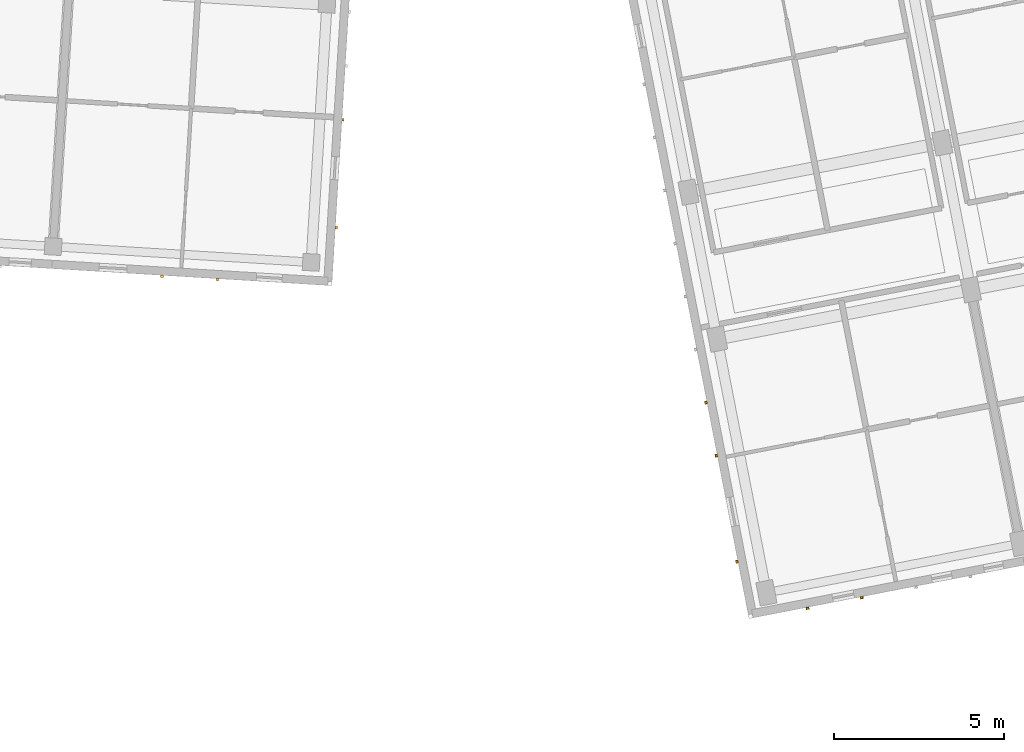
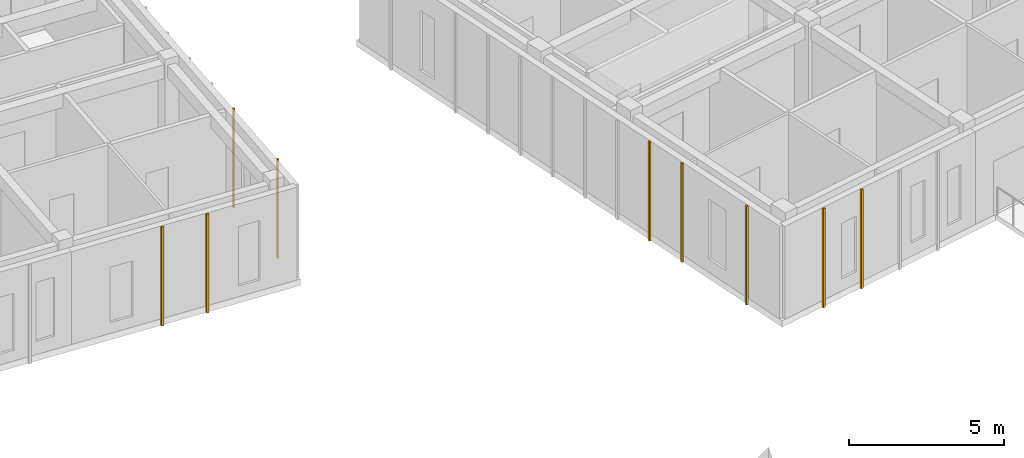
# One storey, part 118 of 150: 9 coverings.
"""IFC4 building model written with IfcOpenShell, lengths in metres."""

import ifcopenshell
import ifcopenshell.guid

model = None  # the IFC model being written
_history = None  # IfcOwnerHistory: only IFC2X3 demands one
_inside = {}  # id of a spatial element -> (the spatial element, [elements in it])
_under = {}  # id of a project, library or spatial element -> (it, [spatial elements below it])
_declared = {}  # id of a project -> (the project, [libraries it declares])
_typed = {}  # id of a type object -> (the type object, [elements of that type])
_made_of = {}  # id of a material, layer set ... -> (it, [elements and type objects made of it])


def new_model(schema):
    """Start an empty IFC model of exactly this schema.

    Asked for "IFC4X3", IfcOpenShell would pick the latest addendum, in which some entities
    have other attributes; the version numbers below select the first issue.
    IFC2X3 requires an IfcOwnerHistory on every rooted entity: one is made here for all.
    """
    global model, _history
    if schema == "IFC4X3":
        model = ifcopenshell.file(schema_version=(4, 3, 0, 0))
    else:
        model = ifcopenshell.file(schema=schema)
    _inside.clear()
    _under.clear()
    _declared.clear()
    _typed.clear()
    _made_of.clear()
    _history = None
    if model.schema == "IFC2X3":
        org = make("IfcOrganization", Name="unknown")
        user = make(
            "IfcPersonAndOrganization",
            ThePerson=make("IfcPerson", FamilyName="unknown"),
            TheOrganization=org,
        )
        app = make(
            "IfcApplication",
            ApplicationDeveloper=org,
            Version="unknown",
            ApplicationFullName="unknown",
            ApplicationIdentifier="unknown",
        )
        _history = make(
            "IfcOwnerHistory",
            OwningUser=user,
            OwningApplication=app,
            ChangeAction="ADDED",
            CreationDate=0,
        )
    return model


def make(cls, **values):
    """One entity of the class cls with the attributes given. An attribute that is None is left unset."""
    return model.create_entity(
        cls, **{name: value for name, value in values.items() if value is not None}
    )


def rooted(cls, **values):
    """An entity with a GlobalId (a new one), such as an element, a storey or a relation."""
    return make(cls, GlobalId=ifcopenshell.guid.new(), OwnerHistory=_history, **values)


def si_unit(unit_type, name, prefix=None):
    """IfcSIUnit, for example si_unit("LENGTHUNIT", "METRE", prefix="MILLI")."""
    return make("IfcSIUnit", UnitType=unit_type, Prefix=prefix, Name=name)


def assignment(units):
    """IfcUnitAssignment: the units of a project."""
    return None if units is None else make("IfcUnitAssignment", Units=units)


def point(xyz):
    """IfcCartesianPoint."""
    return None if xyz is None else make("IfcCartesianPoint", Coordinates=xyz)


def direction(xyz):
    """IfcDirection."""
    return None if xyz is None else make("IfcDirection", DirectionRatios=xyz)


def frame(location, z_axis=None, x_axis=None):
    """IfcAxis2Placement3D, a coordinate frame: its origin and axes. An axis left out is left unset."""
    return make(
        "IfcAxis2Placement3D",
        Location=point(location),
        Axis=direction(z_axis),
        RefDirection=direction(x_axis),
    )


def frame_2d(location, x_axis=None):
    """IfcAxis2Placement2D, a coordinate frame in the plane: its origin and x axis."""
    return make(
        "IfcAxis2Placement2D", Location=point(location), RefDirection=direction(x_axis)
    )


def origin():
    """The frame at (0, 0, 0) with its axes left unset."""
    return frame((0.0, 0.0, 0.0))


def origin_2d():
    """The frame at (0, 0) in the plane with its x axis left unset."""
    return frame_2d((0.0, 0.0))


def place(relative_to, where):
    """IfcLocalPlacement: puts the frame where relative to a parent placement (None: the world)."""
    return make(
        "IfcLocalPlacement", PlacementRelTo=relative_to, RelativePlacement=where
    )


def context(
    kind, dimensions, precision=None, world=None, true_north=None, identifier=None
):
    """IfcGeometricRepresentationContext, for example the 3D "Model" context."""
    return make(
        "IfcGeometricRepresentationContext",
        ContextIdentifier=identifier,
        ContextType=kind,
        CoordinateSpaceDimension=dimensions,
        Precision=precision,
        WorldCoordinateSystem=world,
        TrueNorth=true_north,
    )


def subcontext(parent, identifier, kind, view, scale=None):
    """IfcGeometricRepresentationSubContext, for example "Body" below "Model"."""
    return make(
        "IfcGeometricRepresentationSubContext",
        ContextIdentifier=identifier,
        ContextType=kind,
        ParentContext=parent,
        TargetScale=scale,
        TargetView=view,
    )


def project(units=None, contexts=None):
    """IfcProject with its units and contexts."""
    return rooted(
        "IfcProject",
        Name="project",
        RepresentationContexts=contexts,
        UnitsInContext=assignment(units),
    )


def spatial(cls, under=None, at=None, **own):
    """A site, building, storey or space (cls), placed at a placement, below another one or the project."""
    s = rooted(cls, ObjectPlacement=at, **own)
    if under is not None:
        _under.setdefault(under.id(), (under, []))[1].append(s)
    return s


def profile(cls, at=None, kind="AREA", **sizes):
    """A parametric profile (cls). Its sizes go by their IFC names, for example OverallWidth=200.0."""
    return make(cls, ProfileType=kind, Position=at, **sizes)


def rectangle(**sizes):
    """IfcRectangleProfileDef."""
    return profile("IfcRectangleProfileDef", **sizes)


def extrude(swept, where, along, depth):
    """IfcExtrudedAreaSolid: the profile swept, set in the frame where, extruded along a direction by depth."""
    return make(
        "IfcExtrudedAreaSolid",
        SweptArea=swept,
        Position=where,
        ExtrudedDirection=direction(along),
        Depth=depth,
    )


def shape(context_of_items, identifier, shape_type, items):
    """IfcShapeRepresentation: the items that make up one representation, for example the "Body"."""
    return make(
        "IfcShapeRepresentation",
        ContextOfItems=context_of_items,
        RepresentationIdentifier=identifier,
        RepresentationType=shape_type,
        Items=items,
    )


def material(Name=None, Category=None):
    """IfcMaterial."""
    return make("IfcMaterial", Name=Name, Category=Category)


def layer(
    of_material, thickness, ventilated=None, Name=None, Category=None, Priority=None
):
    """IfcMaterialLayer: one layer of a wall or slab, of a material (None: an air gap)."""
    return make(
        "IfcMaterialLayer",
        Material=of_material,
        LayerThickness=thickness,
        IsVentilated=ventilated,
        Name=Name,
        Category=Category,
        Priority=Priority,
    )


def layer_set(layers, Name=None):
    """IfcMaterialLayerSet."""
    return make("IfcMaterialLayerSet", MaterialLayers=layers, LayerSetName=Name)


def made_of(thing, what):
    """Note that an element or type object is made of a material, layer set ...; save() writes the relation."""
    if what is not None:
        _made_of.setdefault(what.id(), (what, []))[1].append(thing)
    return thing


def type_object(cls, material=None, **own):
    """A type object (cls), such as IfcWallType, which elements share."""
    return made_of(rooted(cls, **own), material)


def element(
    cls,
    number,
    at=None,
    inside=None,
    cuts=None,
    type_object=None,
    material=None,
    context=None,
    identifier="Body",
    shape_type=None,
    held_by="IfcProductDefinitionShape",
    body=None,
    shapes=None,
    **own,
):
    """One element of the class cls, such as IfcWall. Its Tag is "e" and its number.

    at: its placement. inside: the storey or other place that contains it. cuts: it is an
    opening in that element (IfcRelVoidsElement). A single representation is given by context,
    identifier, shape_type and body (its items); several are given by shapes. held_by: the class
    of the entity that holds the representations. save() writes the other relations.
    """
    e = rooted(cls, Tag="e%d" % number, ObjectPlacement=at, **own)
    if body is not None:
        shapes = [shape(context, identifier, shape_type, body)]
    if shapes is not None:
        e.Representation = make(held_by, Representations=shapes)
    if inside is not None:
        _inside.setdefault(inside.id(), (inside, []))[1].append(e)
    if cuts is not None:
        rooted(
            "IfcRelVoidsElement", RelatingBuildingElement=cuts, RelatedOpeningElement=e
        )
    if type_object is not None:
        _typed.setdefault(type_object.id(), (type_object, []))[1].append(e)
    return made_of(e, material)


def aggregate(whole, parts):
    """IfcRelAggregates: a whole, such as a stair, and the parts it consists of."""
    return rooted("IfcRelAggregates", RelatingObject=whole, RelatedObjects=parts)


def save(model, path):
    """Write the relations noted so far, then the file.

    IfcRelAggregates (storeys below a building ...), IfcRelContainedInSpatialStructure (elements
    in a storey), IfcRelDefinesByType, IfcRelAssociatesMaterial and IfcRelDeclares: one each for
    every whole, place, type object, material and project.
    """
    for whole, parts in _under.values():
        aggregate(whole, parts)
    for where, things in _inside.values():
        rooted(
            "IfcRelContainedInSpatialStructure",
            RelatedElements=things,
            RelatingStructure=where,
        )
    for kind, things in _typed.values():
        rooted("IfcRelDefinesByType", RelatedObjects=things, RelatingType=kind)
    for what, things in _made_of.values():
        rooted("IfcRelAssociatesMaterial", RelatedObjects=things, RelatingMaterial=what)
    for by, libraries in _declared.values():
        rooted("IfcRelDeclares", RelatingContext=by, RelatedDefinitions=libraries)
    model.write(path)


model = new_model("IFC4")

# Units and contexts
model_context = context("Model", 3, precision=1e-05, world=origin(), true_north=direction((0.0, 1.0)))
body_context = subcontext(model_context, "Body", "Model", "MODEL_VIEW")
ifc_project = project(units=[si_unit("LENGTHUNIT", "METRE"), si_unit("AREAUNIT", "SQUARE_METRE"), si_unit("VOLUMEUNIT", "CUBIC_METRE"), si_unit("PLANEANGLEUNIT", "RADIAN"), si_unit("MASSUNIT", "GRAM", prefix="KILO")], contexts=[model_context])

# Site, building, storey
site_placement = place(None, origin())
site = spatial("IfcSite", under=ifc_project, at=site_placement, CompositionType="ELEMENT")
building_placement = place(site_placement, origin())
building = spatial("IfcBuilding", under=site, at=building_placement, Name="Kestramere Prow Commons", CompositionType="ELEMENT")
storey_placement = place(building_placement, frame((0.0, 0.0, 4.5)))
storey = spatial("IfcBuildingStorey", under=building, at=storey_placement, Name="L01", CompositionType="ELEMENT", Elevation=4.5)

# Coverings
ifc_material = material(Name="Weathered Zinc-Titanium Standing-Seam Cladding")
ifc_layer = layer(ifc_material, 0.074951171875)
ifc_layer_set = layer_set([ifc_layer], Name="Weathered Zinc-Titanium Standing-Seam Cladding")
covering_type = type_object("IfcCoveringType", Name="COV-CLAD-SEAM", PredefinedType="CLADDING", material=ifc_layer_set)
for number, where, z_axis, x_axis, name in (
    (1, (102.253662109375, 43.206298828125, -0.25), (0.0, 0.0, 1.0), (-0.998134798422, 0.061048539535, 0.0), "EW-C-L01-S-5 Standing-Seam Rib 2"),
    (2, (100.631591796875, 43.305419921875, -0.25), (0.0, 0.0, 1.0), (-0.998134798422, 0.061048539535, 0.0), "EW-C-L01-S-5 Standing-Seam Rib 3"),
    (3, (105.949951171875, 47.9072265625, -0.25), (0.0, 0.0, 1.0), (-0.061048539535, -0.998134798422, 0.0), "EW-C-L01-EAV Standing-Seam Rib 10"),
    (4, (105.756103515625, 44.736328125, -0.25), (0.0, 0.0, 1.0), (-0.061048539535, -0.998134798422, 0.0), "EW-C-L01-EAV Standing-Seam Rib 12"),
    (5, (121.2041015625, 33.85498046875, -0.25), (0.0, 0.0, 1.0), (-0.981627183448, -0.190808995377, 0.0), "EW-D-L01-S-0 Standing-Seam Rib 3"),
    (6, (119.609130859375, 33.544921875, -0.25), (0.0, 0.0, 1.0), (-0.981627183448, -0.190808995377, 0.0), "EW-D-L01-S-0 Standing-Seam Rib 4"),
    (7, (117.531982421875, 34.91455078125, -0.25), (0.0, 0.0, 1.0), (-0.190808995377, 0.981627183448, 0.0), "EW-D-L01-EAV Standing-Seam Rib 1"),
    (8, (116.92578125, 38.033203125, -0.25), (0.0, 0.0, 1.0), (-0.190808995377, 0.981627183448, 0.0), "EW-D-L01-EAV Standing-Seam Rib 3"),
    (9, (116.622802734375, 39.592529296875, -0.25), (0.0, 0.0, 1.0), (-0.190808995377, 0.981627183448, 0.0), "EW-D-L01-EAV Standing-Seam Rib 4"),
):
    element("IfcCovering", number, at=place(storey_placement, frame(where, z_axis=z_axis, x_axis=x_axis)), inside=storey, type_object=covering_type, Name=name, PredefinedType="CLADDING", context=body_context, shape_type="SweptSolid", body=[
        extrude(rectangle(XDim=0.0849609375, YDim=0.06494140625, at=origin_2d()), origin(), (0.0, 0.0, 1.0), 3.89990234375),
    ])

save(model, "model.ifc")
